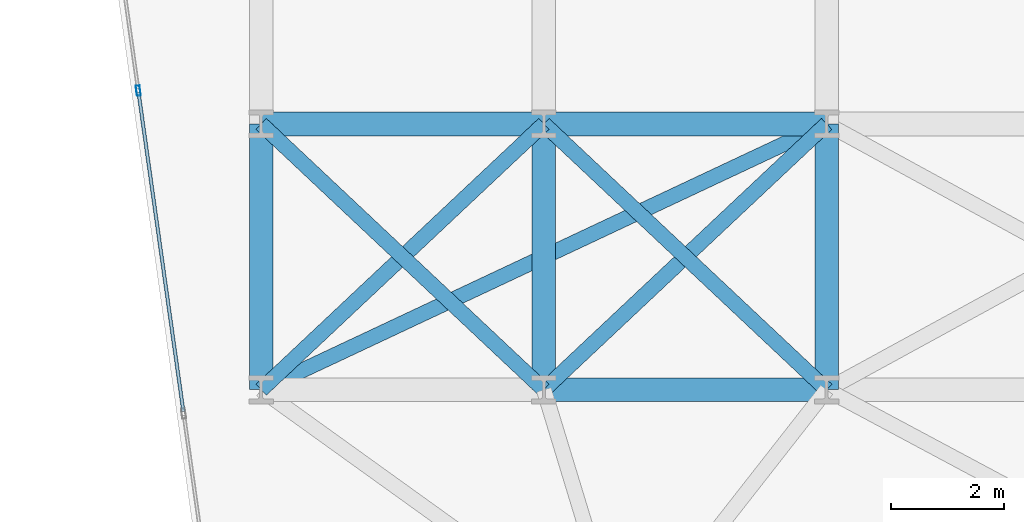
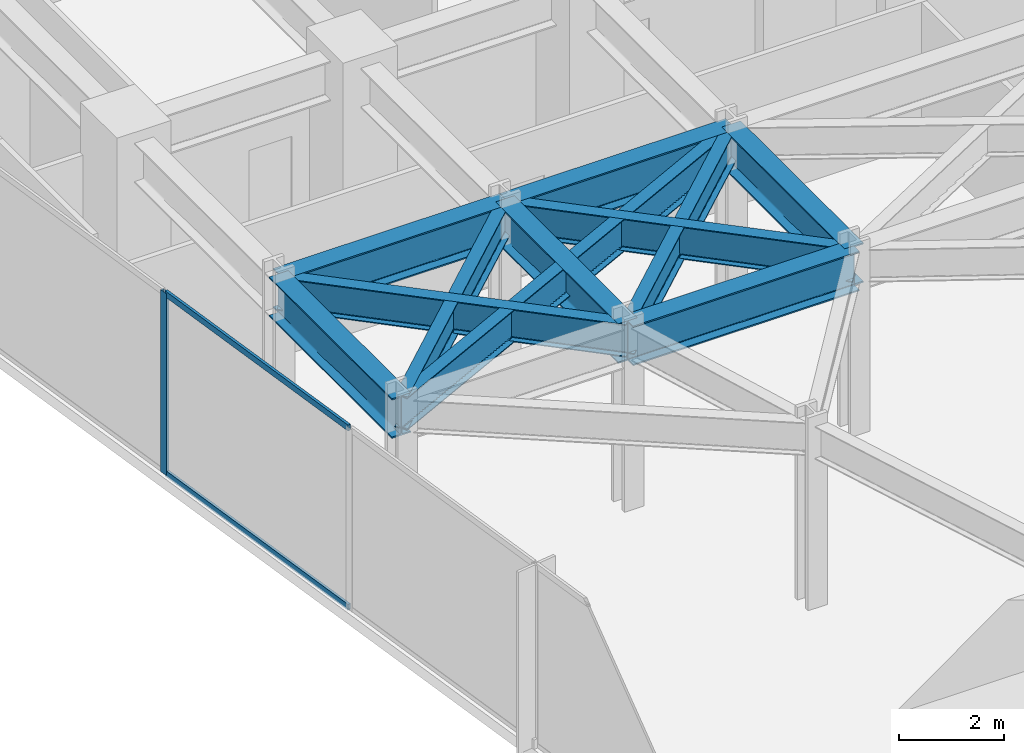
# One storey, part 8 of 28: 11 beams, 3 members, 1 element without a shape of its own.
"""IFC4 building model written with IfcOpenShell, lengths in metres."""

import ifcopenshell
import ifcopenshell.guid

model = None  # the IFC model being written
_history = None  # IfcOwnerHistory: only IFC2X3 demands one
_inside = {}  # id of a spatial element -> (the spatial element, [elements in it])
_under = {}  # id of a project, library or spatial element -> (it, [spatial elements below it])
_declared = {}  # id of a project -> (the project, [libraries it declares])
_typed = {}  # id of a type object -> (the type object, [elements of that type])
_made_of = {}  # id of a material, layer set ... -> (it, [elements and type objects made of it])


def new_model(schema):
    """Start an empty IFC model of exactly this schema.

    Asked for "IFC4X3", IfcOpenShell would pick the latest addendum, in which some entities
    have other attributes; the version numbers below select the first issue.
    IFC2X3 requires an IfcOwnerHistory on every rooted entity: one is made here for all.
    """
    global model, _history
    if schema == "IFC4X3":
        model = ifcopenshell.file(schema_version=(4, 3, 0, 0))
    else:
        model = ifcopenshell.file(schema=schema)
    _inside.clear()
    _under.clear()
    _declared.clear()
    _typed.clear()
    _made_of.clear()
    _history = None
    if model.schema == "IFC2X3":
        org = make("IfcOrganization", Name="unknown")
        user = make(
            "IfcPersonAndOrganization",
            ThePerson=make("IfcPerson", FamilyName="unknown"),
            TheOrganization=org,
        )
        app = make(
            "IfcApplication",
            ApplicationDeveloper=org,
            Version="unknown",
            ApplicationFullName="unknown",
            ApplicationIdentifier="unknown",
        )
        _history = make(
            "IfcOwnerHistory",
            OwningUser=user,
            OwningApplication=app,
            ChangeAction="ADDED",
            CreationDate=0,
        )
    return model


def make(cls, **values):
    """One entity of the class cls with the attributes given. An attribute that is None is left unset."""
    return model.create_entity(
        cls, **{name: value for name, value in values.items() if value is not None}
    )


def rooted(cls, **values):
    """An entity with a GlobalId (a new one), such as an element, a storey or a relation."""
    return make(cls, GlobalId=ifcopenshell.guid.new(), OwnerHistory=_history, **values)


def si_unit(unit_type, name, prefix=None):
    """IfcSIUnit, for example si_unit("LENGTHUNIT", "METRE", prefix="MILLI")."""
    return make("IfcSIUnit", UnitType=unit_type, Prefix=prefix, Name=name)


def assignment(units):
    """IfcUnitAssignment: the units of a project."""
    return None if units is None else make("IfcUnitAssignment", Units=units)


def point(xyz):
    """IfcCartesianPoint."""
    return None if xyz is None else make("IfcCartesianPoint", Coordinates=xyz)


def direction(xyz):
    """IfcDirection."""
    return None if xyz is None else make("IfcDirection", DirectionRatios=xyz)


def frame(location, z_axis=None, x_axis=None):
    """IfcAxis2Placement3D, a coordinate frame: its origin and axes. An axis left out is left unset."""
    return make(
        "IfcAxis2Placement3D",
        Location=point(location),
        Axis=direction(z_axis),
        RefDirection=direction(x_axis),
    )


def frame_2d(location, x_axis=None):
    """IfcAxis2Placement2D, a coordinate frame in the plane: its origin and x axis."""
    return make(
        "IfcAxis2Placement2D", Location=point(location), RefDirection=direction(x_axis)
    )


def origin():
    """The frame at (0, 0, 0) with its axes left unset."""
    return frame((0.0, 0.0, 0.0))


def origin_2d():
    """The frame at (0, 0) in the plane with its x axis left unset."""
    return frame_2d((0.0, 0.0))


def place(relative_to, where):
    """IfcLocalPlacement: puts the frame where relative to a parent placement (None: the world)."""
    return make(
        "IfcLocalPlacement", PlacementRelTo=relative_to, RelativePlacement=where
    )


def context(
    kind, dimensions, precision=None, world=None, true_north=None, identifier=None
):
    """IfcGeometricRepresentationContext, for example the 3D "Model" context."""
    return make(
        "IfcGeometricRepresentationContext",
        ContextIdentifier=identifier,
        ContextType=kind,
        CoordinateSpaceDimension=dimensions,
        Precision=precision,
        WorldCoordinateSystem=world,
        TrueNorth=true_north,
    )


def subcontext(parent, identifier, kind, view, scale=None):
    """IfcGeometricRepresentationSubContext, for example "Body" below "Model"."""
    return make(
        "IfcGeometricRepresentationSubContext",
        ContextIdentifier=identifier,
        ContextType=kind,
        ParentContext=parent,
        TargetScale=scale,
        TargetView=view,
    )


def project(units=None, contexts=None):
    """IfcProject with its units and contexts."""
    return rooted(
        "IfcProject",
        Name="project",
        RepresentationContexts=contexts,
        UnitsInContext=assignment(units),
    )


def spatial(cls, under=None, at=None, **own):
    """A site, building, storey or space (cls), placed at a placement, below another one or the project."""
    s = rooted(cls, ObjectPlacement=at, **own)
    if under is not None:
        _under.setdefault(under.id(), (under, []))[1].append(s)
    return s


def profile(cls, at=None, kind="AREA", **sizes):
    """A parametric profile (cls). Its sizes go by their IFC names, for example OverallWidth=200.0."""
    return make(cls, ProfileType=kind, Position=at, **sizes)


def hollow_rectangle(**sizes):
    """IfcRectangleHollowProfileDef."""
    return profile("IfcRectangleHollowProfileDef", **sizes)


def i_section(**sizes):
    """IfcIShapeProfileDef."""
    return profile("IfcIShapeProfileDef", **sizes)


def extrude(swept, where, along, depth):
    """IfcExtrudedAreaSolid: the profile swept, set in the frame where, extruded along a direction by depth."""
    return make(
        "IfcExtrudedAreaSolid",
        SweptArea=swept,
        Position=where,
        ExtrudedDirection=direction(along),
        Depth=depth,
    )


def shape(context_of_items, identifier, shape_type, items):
    """IfcShapeRepresentation: the items that make up one representation, for example the "Body"."""
    return make(
        "IfcShapeRepresentation",
        ContextOfItems=context_of_items,
        RepresentationIdentifier=identifier,
        RepresentationType=shape_type,
        Items=items,
    )


def material(Name=None, Category=None):
    """IfcMaterial."""
    return make("IfcMaterial", Name=Name, Category=Category)


def layer(
    of_material, thickness, ventilated=None, Name=None, Category=None, Priority=None
):
    """IfcMaterialLayer: one layer of a wall or slab, of a material (None: an air gap)."""
    return make(
        "IfcMaterialLayer",
        Material=of_material,
        LayerThickness=thickness,
        IsVentilated=ventilated,
        Name=Name,
        Category=Category,
        Priority=Priority,
    )


def layer_set(layers, Name=None):
    """IfcMaterialLayerSet."""
    return make("IfcMaterialLayerSet", MaterialLayers=layers, LayerSetName=Name)


def material_profile(
    of_material, cross_section, Name=None, Category=None, Priority=None
):
    """IfcMaterialProfile: a cross section and its material."""
    return make(
        "IfcMaterialProfile",
        Name=Name,
        Material=of_material,
        Profile=cross_section,
        Priority=Priority,
        Category=Category,
    )


def profile_set(profiles, Name=None, composite=None):
    """IfcMaterialProfileSet."""
    return make(
        "IfcMaterialProfileSet",
        Name=Name,
        MaterialProfiles=profiles,
        CompositeProfile=composite,
    )


def made_of(thing, what):
    """Note that an element or type object is made of a material, layer set ...; save() writes the relation."""
    if what is not None:
        _made_of.setdefault(what.id(), (what, []))[1].append(thing)
    return thing


def type_object(cls, material=None, **own):
    """A type object (cls), such as IfcWallType, which elements share."""
    return made_of(rooted(cls, **own), material)


def element(
    cls,
    number,
    at=None,
    inside=None,
    cuts=None,
    type_object=None,
    material=None,
    context=None,
    identifier="Body",
    shape_type=None,
    held_by="IfcProductDefinitionShape",
    body=None,
    shapes=None,
    **own,
):
    """One element of the class cls, such as IfcWall. Its Tag is "e" and its number.

    at: its placement. inside: the storey or other place that contains it. cuts: it is an
    opening in that element (IfcRelVoidsElement). A single representation is given by context,
    identifier, shape_type and body (its items); several are given by shapes. held_by: the class
    of the entity that holds the representations. save() writes the other relations.
    """
    e = rooted(cls, Tag="e%d" % number, ObjectPlacement=at, **own)
    if body is not None:
        shapes = [shape(context, identifier, shape_type, body)]
    if shapes is not None:
        e.Representation = make(held_by, Representations=shapes)
    if inside is not None:
        _inside.setdefault(inside.id(), (inside, []))[1].append(e)
    if cuts is not None:
        rooted(
            "IfcRelVoidsElement", RelatingBuildingElement=cuts, RelatedOpeningElement=e
        )
    if type_object is not None:
        _typed.setdefault(type_object.id(), (type_object, []))[1].append(e)
    return made_of(e, material)


def aggregate(whole, parts):
    """IfcRelAggregates: a whole, such as a stair, and the parts it consists of."""
    return rooted("IfcRelAggregates", RelatingObject=whole, RelatedObjects=parts)


def save(model, path):
    """Write the relations noted so far, then the file.

    IfcRelAggregates (storeys below a building ...), IfcRelContainedInSpatialStructure (elements
    in a storey), IfcRelDefinesByType, IfcRelAssociatesMaterial and IfcRelDeclares: one each for
    every whole, place, type object, material and project.
    """
    for whole, parts in _under.values():
        aggregate(whole, parts)
    for where, things in _inside.values():
        rooted(
            "IfcRelContainedInSpatialStructure",
            RelatedElements=things,
            RelatingStructure=where,
        )
    for kind, things in _typed.values():
        rooted("IfcRelDefinesByType", RelatedObjects=things, RelatingType=kind)
    for what, things in _made_of.values():
        rooted("IfcRelAssociatesMaterial", RelatedObjects=things, RelatingMaterial=what)
    for by, libraries in _declared.values():
        rooted("IfcRelDeclares", RelatingContext=by, RelatedDefinitions=libraries)
    model.write(path)


model = new_model("IFC4")

# Units and contexts
model_context = context("Model", 3, precision=1e-05, world=origin(), true_north=direction((0.0, 1.0)))
body_context = subcontext(model_context, "Body", "Model", "MODEL_VIEW")
ifc_project = project(units=[si_unit("LENGTHUNIT", "METRE"), si_unit("AREAUNIT", "SQUARE_METRE"), si_unit("VOLUMEUNIT", "CUBIC_METRE"), si_unit("PLANEANGLEUNIT", "RADIAN"), si_unit("MASSUNIT", "GRAM", prefix="KILO")], contexts=[model_context])

# Site, building, storey
site_placement = place(None, origin())
site = spatial("IfcSite", under=ifc_project, at=site_placement, CompositionType="ELEMENT")
building_placement = place(site_placement, origin())
building = spatial("IfcBuilding", under=site, at=building_placement, Name="Kravanh Interchange Tower", CompositionType="ELEMENT")
storey_placement = place(building_placement, frame((0.0, 0.0, 91.5)))
storey = spatial("IfcBuildingStorey", under=building, at=storey_placement, Name="L21", CompositionType="ELEMENT", Elevation=91.5)

# Curtain wall, members
ifc_material_1 = material(Name="Anodised Bronze Aluminium", Category="aluminium")
ifc_layer = layer(ifc_material_1, 0.179931640625)
ifc_layer_set = layer_set([ifc_layer], Name="Unitised Curtain Wall System CW-SKY Sky Observatory")
curtain_wall_type = type_object("IfcCurtainWallType", Name="Unitised Curtain Wall System CW-SKY Sky Observatory", PredefinedType="NOTDEFINED", material=ifc_layer_set)
curtain_wall_placement = place(storey_placement, origin())
curtain_wall = element("IfcCurtainWall", 1, at=curtain_wall_placement, inside=storey, type_object=curtain_wall_type, Name="L21 Unitised Curtain Wall CW-L21-01", PredefinedType="NOTDEFINED")
ifc_material_2 = material(Name="Anodised Bronze Aluminium", Category="aluminium")
ifc_material_profile_1 = material_profile(ifc_material_2, hollow_rectangle(XDim=0.070068359375, YDim=0.179931640625, WallThickness=0.00390625, at=origin_2d()), Name="ALU70X180X4")
ifc_profile_set_1 = profile_set([ifc_material_profile_1], Name="Anodised Bronze Aluminium")
member_type_1 = type_object("IfcMemberType", Name="Curtain Wall Mullion ALU70X180X4 Bronze", PredefinedType="MULLION", material=ifc_profile_set_1)
member_1_placement = place(storey_placement, frame((6.427490234375, 32.08935546875, 0.0), z_axis=(0.0, 0.0, 1.0), x_axis=(-0.990267585682, -0.139176538065, 0.0)))
member_1 = element("IfcMember", 2, at=member_1_placement, type_object=member_type_1, Name="CW-SKY mullion 6", PredefinedType="MULLION", context=body_context, shape_type="SweptSolid", body=[
    extrude(hollow_rectangle(XDim=0.070068359375, YDim=0.179931640625, WallThickness=0.00390625, at=origin_2d()), origin(), (0.0, 0.0, 1.0), 4.25),
])
ifc_material_3 = material(Name="Anodised Bronze Aluminium", Category="aluminium")
ifc_material_profile_2 = material_profile(ifc_material_3, hollow_rectangle(XDim=0.06005859375, YDim=0.139892578125, WallThickness=0.00390625, at=origin_2d()), Name="ALU60X140X4")
ifc_profile_set_2 = profile_set([ifc_material_profile_2], Name="Anodised Bronze Aluminium")
member_type_2 = type_object("IfcMemberType", Name="Curtain Wall Transom ALU60X140X4 Bronze", PredefinedType="USERDEFINED", material=ifc_profile_set_2)
member_2_placement = place(storey_placement, frame((7.22509765625, 26.41357421875, 0.030029296875), z_axis=(-0.139158957544, 0.990270056366, 0.0), x_axis=(-0.990270056366, -0.139158957544, 0.0)))
member_2 = element("IfcMember", 3, at=member_2_placement, type_object=member_type_2, Name="CW-SKY transom 5.1", ObjectType="TRANSOM", PredefinedType="USERDEFINED", context=body_context, shape_type="SweptSolid", body=[
    extrude(hollow_rectangle(XDim=0.06005859375, YDim=0.139892578125, WallThickness=0.00390625, at=origin_2d()), origin(), (0.0, 0.0, 1.0), 5.696533203125),
])
member_3_placement = place(storey_placement, frame((7.22509765625, 26.41357421875, 4.219970703125), z_axis=(-0.139158957544, 0.990270056366, 0.0), x_axis=(-0.990270056366, -0.139158957544, 0.0)))
member_3 = element("IfcMember", 4, at=member_3_placement, type_object=member_type_2, Name="CW-SKY transom 5.2", ObjectType="TRANSOM", PredefinedType="USERDEFINED", context=body_context, shape_type="SweptSolid", body=[
    extrude(hollow_rectangle(XDim=0.06005859375, YDim=0.139892578125, WallThickness=0.00390625, at=origin_2d()), origin(), (0.0, 0.0, 1.0), 5.696533203125),
])
aggregate(curtain_wall, [member_1, member_2, member_3])

# Beams
ifc_material_4 = material(Name="Structural Steel S355", Category="steel")
ifc_material_profile_3 = material_profile(ifc_material_4, i_section(OverallWidth=0.41796875, OverallDepth=0.927001953125, WebThickness=0.019287109375, FlangeThickness=0.031982421875, FilletRadius=0.028076171875, at=origin_2d()), Name="W36X231")
ifc_profile_set_3 = profile_set([ifc_material_profile_3], Name="Structural Steel S355")
beam_type_1 = type_object("IfcBeamType", Name="Floor Beam W36X231 Structural Steel S355", PredefinedType="BEAM", material=ifc_profile_set_3)
for number, where, z_axis, x_axis, name in (
    (5, (8.60009765625, 26.800048828125, 3.78662109375), (0.0, 1.0, 0.0), (-1.0, 0.0, 0.0), "L21 Primary Floor Girder 66"),
    (6, (13.60009765625, 26.800048828125, 3.78662109375), (0.0, 1.0, 0.0), (-1.0, 0.0, 0.0), "L21 Primary Floor Girder 70"),
):
    element("IfcBeam", number, at=place(storey_placement, frame(where, z_axis=z_axis, x_axis=x_axis)), inside=storey, type_object=beam_type_1, Name=name, PredefinedType="BEAM", context=body_context, shape_type="SweptSolid", body=[
        extrude(i_section(OverallWidth=0.41796875, OverallDepth=0.927001953125, WebThickness=0.019287109375, FlangeThickness=0.031982421875, FilletRadius=0.028076171875, at=origin_2d()), origin(), (0.0, 0.0, 1.0), 4.699951171875),
    ])
beam_1_placement = place(storey_placement, frame((13.60009765625, 26.800048828125, 3.78662109375), z_axis=(1.0, 0.0, 0.0), x_axis=(0.0, 1.0, 0.0)))
element("IfcBeam", 7, at=beam_1_placement, inside=storey, type_object=beam_type_1, Name="L21 Primary Floor Girder 71", PredefinedType="BEAM", context=body_context, shape_type="SweptSolid", body=[
    extrude(i_section(OverallWidth=0.41796875, OverallDepth=0.927001953125, WebThickness=0.019287109375, FlangeThickness=0.031982421875, FilletRadius=0.028076171875, at=origin_2d()), origin(), (0.0, 0.0, 1.0), 5.0),
])
beam_2_placement = place(storey_placement, frame((18.60009765625, 26.800048828125, 3.78662109375), z_axis=(0.0, 1.0, 0.0), x_axis=(-1.0, 0.0, 0.0)))
element("IfcBeam", 8, at=beam_2_placement, inside=storey, type_object=beam_type_1, Name="L21 Primary Floor Girder 74", PredefinedType="BEAM", context=body_context, shape_type="SweptSolid", body=[
    extrude(i_section(OverallWidth=0.41796875, OverallDepth=0.927001953125, WebThickness=0.019287109375, FlangeThickness=0.031982421875, FilletRadius=0.028076171875, at=origin_2d()), origin(), (0.0, 0.0, 1.0), 4.699951171875),
])
for number, where, z_axis, x_axis, name in (
    (9, (8.60009765625, 31.5, 3.78662109375), (1.0, 0.0, 0.0), (0.0, 1.0, 0.0), "L21 Primary Floor Girder 100"),
    (10, (13.60009765625, 31.5, 3.78662109375), (1.0, 0.0, 0.0), (0.0, 1.0, 0.0), "L21 Primary Floor Girder 101"),
):
    element("IfcBeam", number, at=place(storey_placement, frame(where, z_axis=z_axis, x_axis=x_axis)), inside=storey, type_object=beam_type_1, Name=name, PredefinedType="BEAM", context=body_context, shape_type="SweptSolid", body=[
        extrude(i_section(OverallWidth=0.41796875, OverallDepth=0.927001953125, WebThickness=0.019287109375, FlangeThickness=0.031982421875, FilletRadius=0.028076171875, at=origin_2d()), origin(), (0.0, 0.0, 1.0), 5.0),
    ])
ifc_material_5 = material(Name="Structural Steel S355", Category="steel")
ifc_material_profile_4 = material_profile(ifc_material_5, i_section(OverallWidth=0.26708984375, OverallDepth=0.761962890625, WebThickness=0.014404296875, FlangeThickness=0.021484375, FilletRadius=0.02490234375, at=origin_2d()), Name="W30X116")
ifc_profile_set_4 = profile_set([ifc_material_profile_4], Name="Structural Steel S355")
beam_type_2 = type_object("IfcBeamType", Name="Floor Spandrel W30X116 Structural Steel S355", PredefinedType="SPANDREL", material=ifc_profile_set_4)
beam_3_placement = place(storey_placement, frame((8.60009765625, 26.800048828125, 3.868896484375), z_axis=(0.728631219862, 0.684906231131, 0.0), x_axis=(-0.684906231131, 0.728631219862, 0.0)))
element("IfcBeam", 11, at=beam_3_placement, inside=storey, type_object=beam_type_2, Name="L21 Perimeter Spandrel 68", PredefinedType="SPANDREL", context=body_context, shape_type="SweptSolid", body=[
    extrude(i_section(OverallWidth=0.26708984375, OverallDepth=0.761962890625, WebThickness=0.014404296875, FlangeThickness=0.021484375, FilletRadius=0.02490234375, at=origin_2d()), origin(), (0.0, 0.0, 1.0), 6.862060546875),
])
beam_4_placement = place(storey_placement, frame((8.60009765625, 26.800048828125, 3.868896484375), z_axis=(0.905025402916, 0.425357520301, 0.0), x_axis=(-0.425357520301, 0.905025402916, 0.0)))
element("IfcBeam", 12, at=beam_4_placement, inside=storey, type_object=beam_type_2, Name="L21 Perimeter Spandrel 69", PredefinedType="SPANDREL", context=body_context, shape_type="SweptSolid", body=[
    extrude(i_section(OverallWidth=0.26708984375, OverallDepth=0.761962890625, WebThickness=0.014404296875, FlangeThickness=0.021484375, FilletRadius=0.02490234375, at=origin_2d()), origin(), (0.0, 0.0, 1.0), 11.04931640625),
])
for number, where, z_axis, x_axis, name in (
    (13, (13.60009765625, 26.800048828125, 3.868896484375), (-0.728631219862, 0.684906231131, 0.0), (-0.684906231131, -0.728631219862, 0.0), "L21 Perimeter Spandrel 72"),
    (14, (13.60009765625, 26.800048828125, 3.868896484375), (0.728631219862, 0.684906231131, 0.0), (-0.684906231131, 0.728631219862, 0.0), "L21 Perimeter Spandrel 73"),
    (15, (18.60009765625, 26.800048828125, 3.868896484375), (-0.728631219862, 0.684906231131, 0.0), (-0.684906231131, -0.728631219862, 0.0), "L21 Perimeter Spandrel 75"),
):
    element("IfcBeam", number, at=place(storey_placement, frame(where, z_axis=z_axis, x_axis=x_axis)), inside=storey, type_object=beam_type_2, Name=name, PredefinedType="SPANDREL", context=body_context, shape_type="SweptSolid", body=[
        extrude(i_section(OverallWidth=0.26708984375, OverallDepth=0.761962890625, WebThickness=0.014404296875, FlangeThickness=0.021484375, FilletRadius=0.02490234375, at=origin_2d()), origin(), (0.0, 0.0, 1.0), 6.862060546875),
    ])

save(model, "model.ifc")
